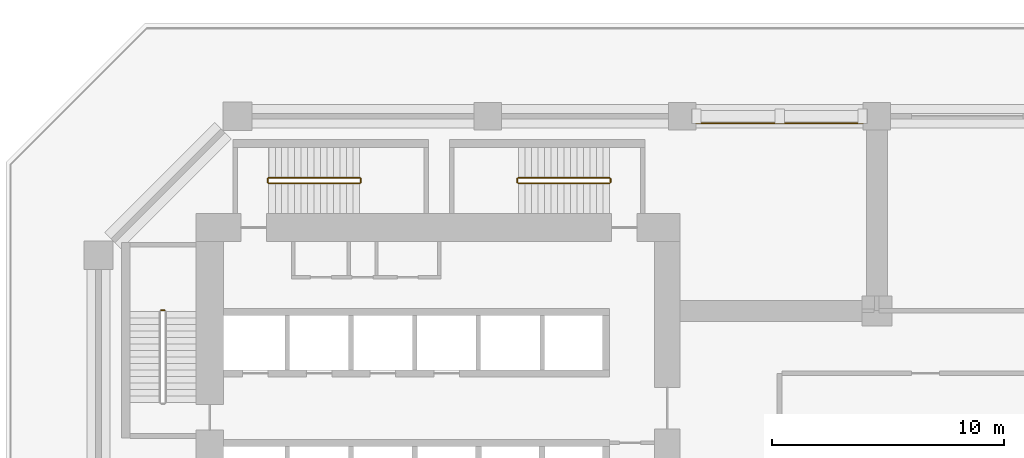
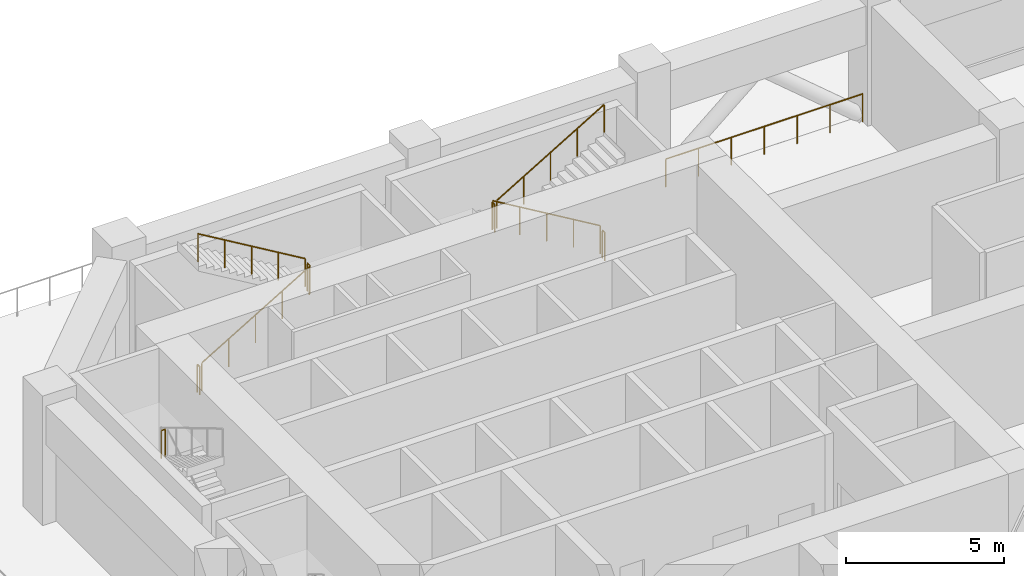
# One storey, part 17 of 19: 10 railings.
"""IFC4 building model written with IfcOpenShell, lengths in metres."""

import ifcopenshell
import ifcopenshell.guid

model = None  # the IFC model being written
_history = None  # IfcOwnerHistory: only IFC2X3 demands one
_inside = {}  # id of a spatial element -> (the spatial element, [elements in it])
_under = {}  # id of a project, library or spatial element -> (it, [spatial elements below it])
_declared = {}  # id of a project -> (the project, [libraries it declares])
_typed = {}  # id of a type object -> (the type object, [elements of that type])
_made_of = {}  # id of a material, layer set ... -> (it, [elements and type objects made of it])


def new_model(schema):
    """Start an empty IFC model of exactly this schema.

    Asked for "IFC4X3", IfcOpenShell would pick the latest addendum, in which some entities
    have other attributes; the version numbers below select the first issue.
    IFC2X3 requires an IfcOwnerHistory on every rooted entity: one is made here for all.
    """
    global model, _history
    if schema == "IFC4X3":
        model = ifcopenshell.file(schema_version=(4, 3, 0, 0))
    else:
        model = ifcopenshell.file(schema=schema)
    _inside.clear()
    _under.clear()
    _declared.clear()
    _typed.clear()
    _made_of.clear()
    _history = None
    if model.schema == "IFC2X3":
        org = make("IfcOrganization", Name="unknown")
        user = make(
            "IfcPersonAndOrganization",
            ThePerson=make("IfcPerson", FamilyName="unknown"),
            TheOrganization=org,
        )
        app = make(
            "IfcApplication",
            ApplicationDeveloper=org,
            Version="unknown",
            ApplicationFullName="unknown",
            ApplicationIdentifier="unknown",
        )
        _history = make(
            "IfcOwnerHistory",
            OwningUser=user,
            OwningApplication=app,
            ChangeAction="ADDED",
            CreationDate=0,
        )
    return model


def make(cls, **values):
    """One entity of the class cls with the attributes given. An attribute that is None is left unset."""
    return model.create_entity(
        cls, **{name: value for name, value in values.items() if value is not None}
    )


def rooted(cls, **values):
    """An entity with a GlobalId (a new one), such as an element, a storey or a relation."""
    return make(cls, GlobalId=ifcopenshell.guid.new(), OwnerHistory=_history, **values)


def si_unit(unit_type, name, prefix=None):
    """IfcSIUnit, for example si_unit("LENGTHUNIT", "METRE", prefix="MILLI")."""
    return make("IfcSIUnit", UnitType=unit_type, Prefix=prefix, Name=name)


def assignment(units):
    """IfcUnitAssignment: the units of a project."""
    return None if units is None else make("IfcUnitAssignment", Units=units)


def point(xyz):
    """IfcCartesianPoint."""
    return None if xyz is None else make("IfcCartesianPoint", Coordinates=xyz)


def direction(xyz):
    """IfcDirection."""
    return None if xyz is None else make("IfcDirection", DirectionRatios=xyz)


def frame(location, z_axis=None, x_axis=None):
    """IfcAxis2Placement3D, a coordinate frame: its origin and axes. An axis left out is left unset."""
    return make(
        "IfcAxis2Placement3D",
        Location=point(location),
        Axis=direction(z_axis),
        RefDirection=direction(x_axis),
    )


def frame_2d(location, x_axis=None):
    """IfcAxis2Placement2D, a coordinate frame in the plane: its origin and x axis."""
    return make(
        "IfcAxis2Placement2D", Location=point(location), RefDirection=direction(x_axis)
    )


def origin():
    """The frame at (0, 0, 0) with its axes left unset."""
    return frame((0.0, 0.0, 0.0))


def origin_2d():
    """The frame at (0, 0) in the plane with its x axis left unset."""
    return frame_2d((0.0, 0.0))


def place(relative_to, where):
    """IfcLocalPlacement: puts the frame where relative to a parent placement (None: the world)."""
    return make(
        "IfcLocalPlacement", PlacementRelTo=relative_to, RelativePlacement=where
    )


def context(
    kind, dimensions, precision=None, world=None, true_north=None, identifier=None
):
    """IfcGeometricRepresentationContext, for example the 3D "Model" context."""
    return make(
        "IfcGeometricRepresentationContext",
        ContextIdentifier=identifier,
        ContextType=kind,
        CoordinateSpaceDimension=dimensions,
        Precision=precision,
        WorldCoordinateSystem=world,
        TrueNorth=true_north,
    )


def subcontext(parent, identifier, kind, view, scale=None):
    """IfcGeometricRepresentationSubContext, for example "Body" below "Model"."""
    return make(
        "IfcGeometricRepresentationSubContext",
        ContextIdentifier=identifier,
        ContextType=kind,
        ParentContext=parent,
        TargetScale=scale,
        TargetView=view,
    )


def project(units=None, contexts=None):
    """IfcProject with its units and contexts."""
    return rooted(
        "IfcProject",
        Name="project",
        RepresentationContexts=contexts,
        UnitsInContext=assignment(units),
    )


def spatial(cls, under=None, at=None, **own):
    """A site, building, storey or space (cls), placed at a placement, below another one or the project."""
    s = rooted(cls, ObjectPlacement=at, **own)
    if under is not None:
        _under.setdefault(under.id(), (under, []))[1].append(s)
    return s


def profile(cls, at=None, kind="AREA", **sizes):
    """A parametric profile (cls). Its sizes go by their IFC names, for example OverallWidth=200.0."""
    return make(cls, ProfileType=kind, Position=at, **sizes)


def circle(**sizes):
    """IfcCircleProfileDef."""
    return profile("IfcCircleProfileDef", **sizes)


def extrude(swept, where, along, depth):
    """IfcExtrudedAreaSolid: the profile swept, set in the frame where, extruded along a direction by depth."""
    return make(
        "IfcExtrudedAreaSolid",
        SweptArea=swept,
        Position=where,
        ExtrudedDirection=direction(along),
        Depth=depth,
    )


def shape(context_of_items, identifier, shape_type, items):
    """IfcShapeRepresentation: the items that make up one representation, for example the "Body"."""
    return make(
        "IfcShapeRepresentation",
        ContextOfItems=context_of_items,
        RepresentationIdentifier=identifier,
        RepresentationType=shape_type,
        Items=items,
    )


def material(Name=None, Category=None):
    """IfcMaterial."""
    return make("IfcMaterial", Name=Name, Category=Category)


def made_of(thing, what):
    """Note that an element or type object is made of a material, layer set ...; save() writes the relation."""
    if what is not None:
        _made_of.setdefault(what.id(), (what, []))[1].append(thing)
    return thing


def type_object(cls, material=None, **own):
    """A type object (cls), such as IfcWallType, which elements share."""
    return made_of(rooted(cls, **own), material)


def element(
    cls,
    number,
    at=None,
    inside=None,
    cuts=None,
    type_object=None,
    material=None,
    context=None,
    identifier="Body",
    shape_type=None,
    held_by="IfcProductDefinitionShape",
    body=None,
    shapes=None,
    **own,
):
    """One element of the class cls, such as IfcWall. Its Tag is "e" and its number.

    at: its placement. inside: the storey or other place that contains it. cuts: it is an
    opening in that element (IfcRelVoidsElement). A single representation is given by context,
    identifier, shape_type and body (its items); several are given by shapes. held_by: the class
    of the entity that holds the representations. save() writes the other relations.
    """
    e = rooted(cls, Tag="e%d" % number, ObjectPlacement=at, **own)
    if body is not None:
        shapes = [shape(context, identifier, shape_type, body)]
    if shapes is not None:
        e.Representation = make(held_by, Representations=shapes)
    if inside is not None:
        _inside.setdefault(inside.id(), (inside, []))[1].append(e)
    if cuts is not None:
        rooted(
            "IfcRelVoidsElement", RelatingBuildingElement=cuts, RelatedOpeningElement=e
        )
    if type_object is not None:
        _typed.setdefault(type_object.id(), (type_object, []))[1].append(e)
    return made_of(e, material)


def aggregate(whole, parts):
    """IfcRelAggregates: a whole, such as a stair, and the parts it consists of."""
    return rooted("IfcRelAggregates", RelatingObject=whole, RelatedObjects=parts)


def save(model, path):
    """Write the relations noted so far, then the file.

    IfcRelAggregates (storeys below a building ...), IfcRelContainedInSpatialStructure (elements
    in a storey), IfcRelDefinesByType, IfcRelAssociatesMaterial and IfcRelDeclares: one each for
    every whole, place, type object, material and project.
    """
    for whole, parts in _under.values():
        aggregate(whole, parts)
    for where, things in _inside.values():
        rooted(
            "IfcRelContainedInSpatialStructure",
            RelatedElements=things,
            RelatingStructure=where,
        )
    for kind, things in _typed.values():
        rooted("IfcRelDefinesByType", RelatedObjects=things, RelatingType=kind)
    for what, things in _made_of.values():
        rooted("IfcRelAssociatesMaterial", RelatedObjects=things, RelatingMaterial=what)
    for by, libraries in _declared.values():
        rooted("IfcRelDeclares", RelatingContext=by, RelatedDefinitions=libraries)
    model.write(path)


model = new_model("IFC4")

# Units and contexts
model_context = context("Model", 3, precision=1e-05, world=origin(), true_north=direction((0.0, 1.0)))
body_context = subcontext(model_context, "Body", "Model", "MODEL_VIEW")
ifc_project = project(units=[si_unit("LENGTHUNIT", "METRE"), si_unit("AREAUNIT", "SQUARE_METRE"), si_unit("VOLUMEUNIT", "CUBIC_METRE"), si_unit("PLANEANGLEUNIT", "RADIAN"), si_unit("MASSUNIT", "GRAM", prefix="KILO")], contexts=[model_context])

# Site, building, storey
site_placement = place(None, origin())
site = spatial("IfcSite", under=ifc_project, at=site_placement, CompositionType="ELEMENT")
building_placement = place(site_placement, origin())
building = spatial("IfcBuilding", under=site, at=building_placement, Name="Kawkab Arch Medical Tower", CompositionType="ELEMENT")
storey_placement = place(building_placement, frame((0.0, 0.0, 34.199951171875)))
storey = spatial("IfcBuildingStorey", under=building, at=storey_placement, Name="L07", CompositionType="ELEMENT", Elevation=34.199951171875)

# Railings
ifc_material_1 = material(Name="Bronze anodised aluminium guard", Category="aluminium")
railing_type_1 = type_object("IfcRailingType", Name="Loggia and terrace guard 1100", PredefinedType="GUARDRAIL", material=ifc_material_1)
railing_1_placement = place(storey_placement, frame((33.0, -0.300048828125, 0.0)))
element("IfcRailing", 1, at=railing_1_placement, inside=storey, type_object=railing_type_1, Name="Band guard L07.R18.3", PredefinedType="GUARDRAIL", context=body_context, shape_type="SweptSolid", body=[
    extrude(circle(Radius=0.02392578125, at=origin_2d()), frame((0.0, 0.0, 1.076171875), z_axis=(-1.0, 0.0, 0.0), x_axis=(0.0, -1.0, 0.0)), (0.0, 0.0, 1.0), 7.199951171875),
    extrude(circle(Radius=0.02099609375, at=origin_2d()), origin(), (0.0, 0.0, 1.0), 1.052001953125),
    extrude(circle(Radius=0.02099609375, at=origin_2d()), frame((-1.199951171875, 0.0, 0.0)), (0.0, 0.0, 1.0), 1.052001953125),
    extrude(circle(Radius=0.02099609375, at=origin_2d()), frame((-2.39990234375, 0.0, 0.0)), (0.0, 0.0, 1.0), 1.052001953125),
    extrude(circle(Radius=0.02099609375, at=origin_2d()), frame((-3.60009765625, 0.0, 0.0)), (0.0, 0.0, 1.0), 1.052001953125),
    extrude(circle(Radius=0.02099609375, at=origin_2d()), frame((-4.800048828125, 0.0, 0.0)), (0.0, 0.0, 1.0), 1.052001953125),
    extrude(circle(Radius=0.02099609375, at=origin_2d()), frame((-6.0, 0.0, 0.0)), (0.0, 0.0, 1.0), 1.052001953125),
    extrude(circle(Radius=0.02099609375, at=origin_2d()), frame((-7.199951171875, 0.0, 0.0)), (0.0, 0.0, 1.0), 1.052001953125),
])
ifc_material_2 = material(Name="Stainless steel", Category="steel")
railing_type_2 = type_object("IfcRailingType", Name="Stair guard 1100", PredefinedType="GUARDRAIL", material=ifc_material_2)
railing_2_placement = place(storey_placement, frame((2.85009765625, -8.3798828125, 2.5)))
element("IfcRailing", 2, at=railing_2_placement, inside=storey, type_object=railing_type_2, Name="L07 ST1 stair guard 2", PredefinedType="GUARDRAIL", context=body_context, shape_type="SweptSolid", body=[
    extrude(circle(Radius=0.02392578125, at=origin_2d()), frame((0.0, 0.0, 1.076171875), z_axis=(-1.0, 0.0, 0.0), x_axis=(0.0, -1.0, 0.0)), (0.0, 0.0, 1.0), 0.150146484375),
    extrude(circle(Radius=0.02099609375, at=origin_2d()), origin(), (0.0, 0.0, 1.0), 1.052001953125),
    extrude(circle(Radius=0.02099609375, at=origin_2d()), frame((-0.150146484375, 0.0, 0.0)), (0.0, 0.0, 1.0), 1.052001953125),
])
railing_3_placement = place(storey_placement, frame((7.35009765625, -2.89990234375, 0.166748046875)))
element("IfcRailing", 3, at=railing_3_placement, inside=storey, type_object=railing_type_2, Name="L07 ST3 stair guard 1", PredefinedType="GUARDRAIL", context=body_context, shape_type="SweptSolid", body=[
    extrude(circle(Radius=0.02392578125, at=origin_2d()), frame((0.0, 0.0, 1.076171875), z_axis=(0.859296244711, 0.0, 0.511478214419), x_axis=(0.0, 1.0, 0.0)), (0.0, 0.0, 1.0), 4.561767578125),
    extrude(circle(Radius=0.02099609375, at=origin_2d()), origin(), (0.0, 0.0, 1.0), 1.052001953125),
    extrude(circle(Radius=0.02099609375, at=origin_2d()), frame((0.97998046875, 0.0, 0.583251953125)), (0.0, 0.0, 1.0), 1.052001953125),
    extrude(circle(Radius=0.02099609375, at=origin_2d()), frame((1.9599609375, 0.0, 1.16650390625)), (0.0, 0.0, 1.0), 1.052001953125),
    extrude(circle(Radius=0.02099609375, at=origin_2d()), frame((2.93994140625, 0.0, 1.75)), (0.0, 0.0, 1.0), 1.052001953125),
    extrude(circle(Radius=0.02099609375, at=origin_2d()), frame((3.919921875, 0.0, 2.333251953125)), (0.0, 0.0, 1.0), 1.052001953125),
])
railing_4_placement = place(storey_placement, frame((11.320068359375, -2.85009765625, 2.5)))
element("IfcRailing", 4, at=railing_4_placement, inside=storey, type_object=railing_type_2, Name="L07 ST3 stair guard 2", PredefinedType="GUARDRAIL", context=body_context, shape_type="SweptSolid", body=[
    extrude(circle(Radius=0.02392578125, at=origin_2d()), frame((0.0, 0.0, 1.076171875), z_axis=(0.0, 1.0, 0.0), x_axis=(-1.0, 0.0, 0.0)), (0.0, 0.0, 1.0), 0.150146484375),
    extrude(circle(Radius=0.02099609375, at=origin_2d()), origin(), (0.0, 0.0, 1.0), 1.052001953125),
    extrude(circle(Radius=0.02099609375, at=origin_2d()), frame((0.0, 0.150146484375, 0.0)), (0.0, 0.0, 1.0), 1.052001953125),
])
railing_5_placement = place(storey_placement, frame((11.27001953125, -2.64990234375, 2.666748046875)))
element("IfcRailing", 5, at=railing_5_placement, inside=storey, type_object=railing_type_2, Name="L07 ST3 stair guard 3", PredefinedType="GUARDRAIL", context=body_context, shape_type="SweptSolid", body=[
    extrude(circle(Radius=0.02392578125, at=origin_2d()), frame((0.0, 0.0, 1.076171875), z_axis=(-0.859296244711, 0.0, 0.511478214419), x_axis=(0.0, -1.0, 0.0)), (0.0, 0.0, 1.0), 4.561767578125),
    extrude(circle(Radius=0.02099609375, at=origin_2d()), origin(), (0.0, 0.0, 1.0), 1.052001953125),
    extrude(circle(Radius=0.02099609375, at=origin_2d()), frame((-0.97998046875, 0.0, 0.583251953125)), (0.0, 0.0, 1.0), 1.052001953125),
    extrude(circle(Radius=0.02099609375, at=origin_2d()), frame((-1.9599609375, 0.0, 1.16650390625)), (0.0, 0.0, 1.0), 1.052001953125),
    extrude(circle(Radius=0.02099609375, at=origin_2d()), frame((-2.93994140625, 0.0, 1.75)), (0.0, 0.0, 1.0), 1.052001953125),
    extrude(circle(Radius=0.02099609375, at=origin_2d()), frame((-3.919921875, 0.0, 2.333251953125)), (0.0, 0.0, 1.0), 1.052001953125),
])
railing_6_placement = place(storey_placement, frame((7.300048828125, -2.85009765625, 0.0)))
element("IfcRailing", 6, at=railing_6_placement, inside=storey, type_object=railing_type_2, Name="L07 ST3 stair guard 4", PredefinedType="GUARDRAIL", context=body_context, shape_type="SweptSolid", body=[
    extrude(circle(Radius=0.02392578125, at=origin_2d()), frame((0.0, 0.0, 1.076171875), z_axis=(0.0, 1.0, 0.0), x_axis=(-1.0, 0.0, 0.0)), (0.0, 0.0, 1.0), 0.150146484375),
    extrude(circle(Radius=0.02099609375, at=origin_2d()), origin(), (0.0, 0.0, 1.0), 1.052001953125),
    extrude(circle(Radius=0.02099609375, at=origin_2d()), frame((0.0, 0.150146484375, 0.0)), (0.0, 0.0, 1.0), 1.052001953125),
])
railing_7_placement = place(storey_placement, frame((22.050048828125, -2.64990234375, 0.166748046875)))
element("IfcRailing", 7, at=railing_7_placement, inside=storey, type_object=railing_type_2, Name="L07 ST4 stair guard 1", PredefinedType="GUARDRAIL", context=body_context, shape_type="SweptSolid", body=[
    extrude(circle(Radius=0.02392578125, at=origin_2d()), frame((0.0, 0.0, 1.076171875), z_axis=(-0.859310244771, 0.0, 0.511454693235), x_axis=(0.0, -1.0, 0.0)), (0.0, 0.0, 1.0), 4.56201171875),
    extrude(circle(Radius=0.02099609375, at=origin_2d()), origin(), (0.0, 0.0, 1.0), 1.052001953125),
    extrude(circle(Radius=0.02099609375, at=origin_2d()), frame((-0.97998046875, 0.0, 0.583251953125)), (0.0, 0.0, 1.0), 1.052001953125),
    extrude(circle(Radius=0.02099609375, at=origin_2d()), frame((-1.9599609375, 0.0, 1.16650390625)), (0.0, 0.0, 1.0), 1.052001953125),
    extrude(circle(Radius=0.02099609375, at=origin_2d()), frame((-2.940185546875, 0.0, 1.75)), (0.0, 0.0, 1.0), 1.052001953125),
    extrude(circle(Radius=0.02099609375, at=origin_2d()), frame((-3.920166015625, 0.0, 2.333251953125)), (0.0, 0.0, 1.0), 1.052001953125),
])
railing_8_placement = place(storey_placement, frame((18.080078125, -2.699951171875, 2.5)))
element("IfcRailing", 8, at=railing_8_placement, inside=storey, type_object=railing_type_2, Name="L07 ST4 stair guard 2", PredefinedType="GUARDRAIL", context=body_context, shape_type="SweptSolid", body=[
    extrude(circle(Radius=0.02392578125, at=origin_2d()), frame((0.0, 0.0, 1.076171875), z_axis=(0.0, -1.0, 0.0), x_axis=(1.0, 0.0, 0.0)), (0.0, 0.0, 1.0), 0.150146484375),
    extrude(circle(Radius=0.02099609375, at=origin_2d()), origin(), (0.0, 0.0, 1.0), 1.052001953125),
    extrude(circle(Radius=0.02099609375, at=origin_2d()), frame((0.0, -0.150146484375, 0.0)), (0.0, 0.0, 1.0), 1.052001953125),
])
railing_9_placement = place(storey_placement, frame((18.1298828125, -2.89990234375, 2.666748046875)))
element("IfcRailing", 9, at=railing_9_placement, inside=storey, type_object=railing_type_2, Name="L07 ST4 stair guard 3", PredefinedType="GUARDRAIL", context=body_context, shape_type="SweptSolid", body=[
    extrude(circle(Radius=0.02392578125, at=origin_2d()), frame((0.0, 0.0, 1.076171875), z_axis=(0.859310244771, 0.0, 0.511454693235), x_axis=(0.0, 1.0, 0.0)), (0.0, 0.0, 1.0), 4.56201171875),
    extrude(circle(Radius=0.02099609375, at=origin_2d()), origin(), (0.0, 0.0, 1.0), 1.052001953125),
    extrude(circle(Radius=0.02099609375, at=origin_2d()), frame((0.97998046875, 0.0, 0.583251953125)), (0.0, 0.0, 1.0), 1.052001953125),
    extrude(circle(Radius=0.02099609375, at=origin_2d()), frame((1.9599609375, 0.0, 1.16650390625)), (0.0, 0.0, 1.0), 1.052001953125),
    extrude(circle(Radius=0.02099609375, at=origin_2d()), frame((2.940185546875, 0.0, 1.75)), (0.0, 0.0, 1.0), 1.052001953125),
    extrude(circle(Radius=0.02099609375, at=origin_2d()), frame((3.920166015625, 0.0, 2.333251953125)), (0.0, 0.0, 1.0), 1.052001953125),
])
railing_10_placement = place(storey_placement, frame((22.10009765625, -2.699951171875, 0.0)))
element("IfcRailing", 10, at=railing_10_placement, inside=storey, type_object=railing_type_2, Name="L07 ST4 stair guard 4", PredefinedType="GUARDRAIL", context=body_context, shape_type="SweptSolid", body=[
    extrude(circle(Radius=0.02392578125, at=origin_2d()), frame((0.0, 0.0, 1.076171875), z_axis=(0.0, -1.0, 0.0), x_axis=(1.0, 0.0, 0.0)), (0.0, 0.0, 1.0), 0.150146484375),
    extrude(circle(Radius=0.02099609375, at=origin_2d()), origin(), (0.0, 0.0, 1.0), 1.052001953125),
    extrude(circle(Radius=0.02099609375, at=origin_2d()), frame((0.0, -0.150146484375, 0.0)), (0.0, 0.0, 1.0), 1.052001953125),
])

save(model, "model.ifc")
